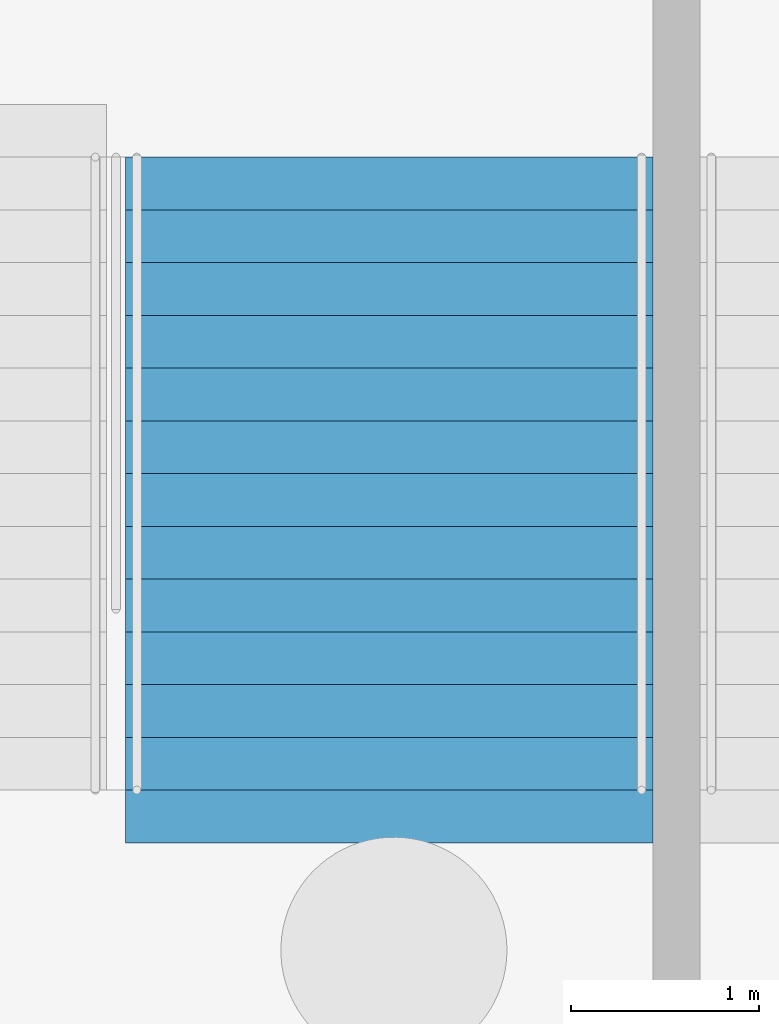
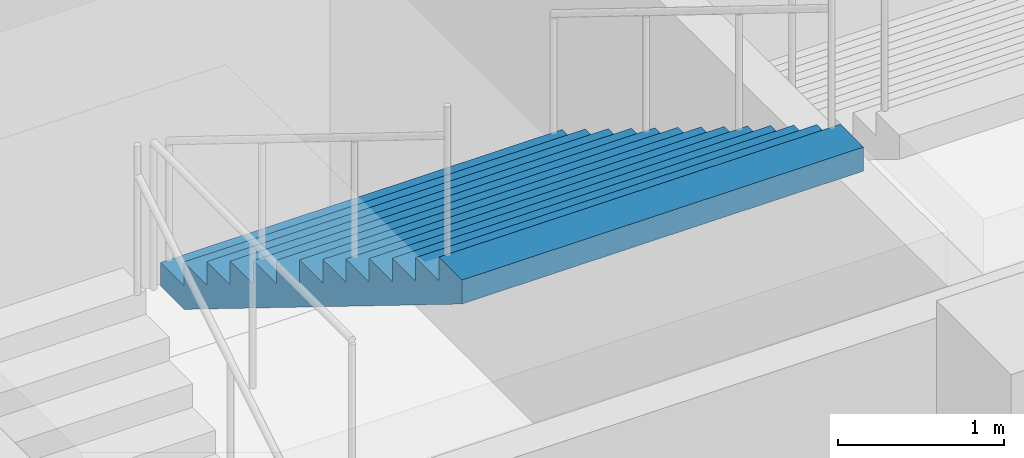
# One storey, part 99 of 115: 1 stair flight, 1 element without a shape of its own.
"""IFC4 building model written with IfcOpenShell, lengths in metres."""

import ifcopenshell
import ifcopenshell.guid

model = None  # the IFC model being written
_history = None  # IfcOwnerHistory: only IFC2X3 demands one
_inside = {}  # id of a spatial element -> (the spatial element, [elements in it])
_under = {}  # id of a project, library or spatial element -> (it, [spatial elements below it])
_declared = {}  # id of a project -> (the project, [libraries it declares])
_typed = {}  # id of a type object -> (the type object, [elements of that type])
_made_of = {}  # id of a material, layer set ... -> (it, [elements and type objects made of it])


def new_model(schema):
    """Start an empty IFC model of exactly this schema.

    Asked for "IFC4X3", IfcOpenShell would pick the latest addendum, in which some entities
    have other attributes; the version numbers below select the first issue.
    IFC2X3 requires an IfcOwnerHistory on every rooted entity: one is made here for all.
    """
    global model, _history
    if schema == "IFC4X3":
        model = ifcopenshell.file(schema_version=(4, 3, 0, 0))
    else:
        model = ifcopenshell.file(schema=schema)
    _inside.clear()
    _under.clear()
    _declared.clear()
    _typed.clear()
    _made_of.clear()
    _history = None
    if model.schema == "IFC2X3":
        org = make("IfcOrganization", Name="unknown")
        user = make(
            "IfcPersonAndOrganization",
            ThePerson=make("IfcPerson", FamilyName="unknown"),
            TheOrganization=org,
        )
        app = make(
            "IfcApplication",
            ApplicationDeveloper=org,
            Version="unknown",
            ApplicationFullName="unknown",
            ApplicationIdentifier="unknown",
        )
        _history = make(
            "IfcOwnerHistory",
            OwningUser=user,
            OwningApplication=app,
            ChangeAction="ADDED",
            CreationDate=0,
        )
    return model


def make(cls, **values):
    """One entity of the class cls with the attributes given. An attribute that is None is left unset."""
    return model.create_entity(
        cls, **{name: value for name, value in values.items() if value is not None}
    )


def rooted(cls, **values):
    """An entity with a GlobalId (a new one), such as an element, a storey or a relation."""
    return make(cls, GlobalId=ifcopenshell.guid.new(), OwnerHistory=_history, **values)


def si_unit(unit_type, name, prefix=None):
    """IfcSIUnit, for example si_unit("LENGTHUNIT", "METRE", prefix="MILLI")."""
    return make("IfcSIUnit", UnitType=unit_type, Prefix=prefix, Name=name)


def assignment(units):
    """IfcUnitAssignment: the units of a project."""
    return None if units is None else make("IfcUnitAssignment", Units=units)


def point(xyz):
    """IfcCartesianPoint."""
    return None if xyz is None else make("IfcCartesianPoint", Coordinates=xyz)


def direction(xyz):
    """IfcDirection."""
    return None if xyz is None else make("IfcDirection", DirectionRatios=xyz)


def frame(location, z_axis=None, x_axis=None):
    """IfcAxis2Placement3D, a coordinate frame: its origin and axes. An axis left out is left unset."""
    return make(
        "IfcAxis2Placement3D",
        Location=point(location),
        Axis=direction(z_axis),
        RefDirection=direction(x_axis),
    )


def origin():
    """The frame at (0, 0, 0) with its axes left unset."""
    return frame((0.0, 0.0, 0.0))


def place(relative_to, where):
    """IfcLocalPlacement: puts the frame where relative to a parent placement (None: the world)."""
    return make(
        "IfcLocalPlacement", PlacementRelTo=relative_to, RelativePlacement=where
    )


def context(
    kind, dimensions, precision=None, world=None, true_north=None, identifier=None
):
    """IfcGeometricRepresentationContext, for example the 3D "Model" context."""
    return make(
        "IfcGeometricRepresentationContext",
        ContextIdentifier=identifier,
        ContextType=kind,
        CoordinateSpaceDimension=dimensions,
        Precision=precision,
        WorldCoordinateSystem=world,
        TrueNorth=true_north,
    )


def subcontext(parent, identifier, kind, view, scale=None):
    """IfcGeometricRepresentationSubContext, for example "Body" below "Model"."""
    return make(
        "IfcGeometricRepresentationSubContext",
        ContextIdentifier=identifier,
        ContextType=kind,
        ParentContext=parent,
        TargetScale=scale,
        TargetView=view,
    )


def project(units=None, contexts=None):
    """IfcProject with its units and contexts."""
    return rooted(
        "IfcProject",
        Name="project",
        RepresentationContexts=contexts,
        UnitsInContext=assignment(units),
    )


def spatial(cls, under=None, at=None, **own):
    """A site, building, storey or space (cls), placed at a placement, below another one or the project."""
    s = rooted(cls, ObjectPlacement=at, **own)
    if under is not None:
        _under.setdefault(under.id(), (under, []))[1].append(s)
    return s


def faces_of(points, faces, orient=None, outer=None):
    """IfcFace entities. A face is a list of loops; a loop is a list of indices into points, from 0.

    orient and outer hold one flag for each loop. By default every Orientation is true, the
    first loop of a face is its IfcFaceOuterBound and the others are IfcFaceBound.
    """
    made = []
    for i, loops in enumerate(faces):
        bounds = []
        for j, loop in enumerate(loops):
            is_outer = j == 0 if outer is None else outer[i][j]
            bounds.append(
                make(
                    "IfcFaceOuterBound" if is_outer else "IfcFaceBound",
                    Bound=make("IfcPolyLoop", Polygon=[points[k] for k in loop]),
                    Orientation=True if orient is None else orient[i][j],
                )
            )
        made.append(make("IfcFace", Bounds=bounds))
    return made


def faceted_brep(points, faces, orient=None, outer=None, voids=None):
    """IfcFacetedBrep: a solid bounded by flat faces; with voids (closed shells), ...WithVoids."""
    shared = [point(p) for p in points]
    hull = make("IfcClosedShell", CfsFaces=faces_of(shared, faces, orient, outer))
    if voids is None:
        return make("IfcFacetedBrep", Outer=hull)
    return make(
        "IfcFacetedBrepWithVoids",
        Outer=hull,
        Voids=[
            make(cls, CfsFaces=faces_of(shared, fs, o, b)) for cls, fs, o, b in voids
        ],
    )


def shape(context_of_items, identifier, shape_type, items):
    """IfcShapeRepresentation: the items that make up one representation, for example the "Body"."""
    return make(
        "IfcShapeRepresentation",
        ContextOfItems=context_of_items,
        RepresentationIdentifier=identifier,
        RepresentationType=shape_type,
        Items=items,
    )


def material(Name=None, Category=None):
    """IfcMaterial."""
    return make("IfcMaterial", Name=Name, Category=Category)


def made_of(thing, what):
    """Note that an element or type object is made of a material, layer set ...; save() writes the relation."""
    if what is not None:
        _made_of.setdefault(what.id(), (what, []))[1].append(thing)
    return thing


def type_object(cls, material=None, **own):
    """A type object (cls), such as IfcWallType, which elements share."""
    return made_of(rooted(cls, **own), material)


def element(
    cls,
    number,
    at=None,
    inside=None,
    cuts=None,
    type_object=None,
    material=None,
    context=None,
    identifier="Body",
    shape_type=None,
    held_by="IfcProductDefinitionShape",
    body=None,
    shapes=None,
    **own,
):
    """One element of the class cls, such as IfcWall. Its Tag is "e" and its number.

    at: its placement. inside: the storey or other place that contains it. cuts: it is an
    opening in that element (IfcRelVoidsElement). A single representation is given by context,
    identifier, shape_type and body (its items); several are given by shapes. held_by: the class
    of the entity that holds the representations. save() writes the other relations.
    """
    e = rooted(cls, Tag="e%d" % number, ObjectPlacement=at, **own)
    if body is not None:
        shapes = [shape(context, identifier, shape_type, body)]
    if shapes is not None:
        e.Representation = make(held_by, Representations=shapes)
    if inside is not None:
        _inside.setdefault(inside.id(), (inside, []))[1].append(e)
    if cuts is not None:
        rooted(
            "IfcRelVoidsElement", RelatingBuildingElement=cuts, RelatedOpeningElement=e
        )
    if type_object is not None:
        _typed.setdefault(type_object.id(), (type_object, []))[1].append(e)
    return made_of(e, material)


def aggregate(whole, parts):
    """IfcRelAggregates: a whole, such as a stair, and the parts it consists of."""
    return rooted("IfcRelAggregates", RelatingObject=whole, RelatedObjects=parts)


def save(model, path):
    """Write the relations noted so far, then the file.

    IfcRelAggregates (storeys below a building ...), IfcRelContainedInSpatialStructure (elements
    in a storey), IfcRelDefinesByType, IfcRelAssociatesMaterial and IfcRelDeclares: one each for
    every whole, place, type object, material and project.
    """
    for whole, parts in _under.values():
        aggregate(whole, parts)
    for where, things in _inside.values():
        rooted(
            "IfcRelContainedInSpatialStructure",
            RelatedElements=things,
            RelatingStructure=where,
        )
    for kind, things in _typed.values():
        rooted("IfcRelDefinesByType", RelatedObjects=things, RelatingType=kind)
    for what, things in _made_of.values():
        rooted("IfcRelAssociatesMaterial", RelatedObjects=things, RelatingMaterial=what)
    for by, libraries in _declared.values():
        rooted("IfcRelDeclares", RelatingContext=by, RelatedDefinitions=libraries)
    model.write(path)


model = new_model("IFC4")

# Units and contexts
model_context = context("Model", 3, precision=1e-05, world=origin(), true_north=direction((0.0, 1.0)))
body_context = subcontext(model_context, "Body", "Model", "MODEL_VIEW")
ifc_project = project(units=[si_unit("LENGTHUNIT", "METRE"), si_unit("AREAUNIT", "SQUARE_METRE"), si_unit("VOLUMEUNIT", "CUBIC_METRE"), si_unit("PLANEANGLEUNIT", "RADIAN"), si_unit("MASSUNIT", "GRAM", prefix="KILO")], contexts=[model_context])

# Site, building, storey
site_placement = place(None, origin())
site = spatial("IfcSite", under=ifc_project, at=site_placement, CompositionType="ELEMENT")
building_placement = place(site_placement, origin())
building = spatial("IfcBuilding", under=site, at=building_placement, Name="Ogive Plaza Stadium", CompositionType="ELEMENT")
storey_placement = place(building_placement, frame((0.0, 0.0, -4.5)))
storey = spatial("IfcBuildingStorey", under=building, at=storey_placement, Name="B1", CompositionType="ELEMENT", Elevation=-4.5)

# Stair, stair flight
ifc_material_1 = material(Name="Concrete C40/50", Category="concrete")
stair_type = type_object("IfcStairType", Name="Exit stair", PredefinedType="STRAIGHT_RUN_STAIR", material=ifc_material_1)
stair_placement = place(storey_placement, origin())
stair = element("IfcStair", 1, at=stair_placement, inside=storey, type_object=stair_type, Name="Exit stair ST32B B1 to L00", PredefinedType="STRAIGHT_RUN_STAIR")
ifc_material_2 = material(Name="Concrete C40/50", Category="concrete")
stair_flight_type = type_object("IfcStairFlightType", Name="Exit stair flight", PredefinedType="STRAIGHT", material=ifc_material_2)
stair_flight_placement = place(storey_placement, frame((-35.52490234375, 98.2099609375, 2.25), z_axis=(0.0, 0.0, 1.0), x_axis=(0.0, -1.0, 0.0)))
stair_flight = element("IfcStairFlight", 2, at=stair_flight_placement, type_object=stair_flight_type, Name="ST32B flight 2", NumberOfRisers=13, NumberOfTreads=12, PredefinedType="STRAIGHT", RiserHeight=0.173076923, TreadLength=0.28, context=body_context, shape_type="Brep", body=[
    faceted_brep([(0.28515625, -1.39990234375, 0.0), (3.639892578125, -1.39990234375, 2.07373046875), (3.639892578125, -1.39990234375, 2.25), (3.360107421875, -1.39990234375, 2.25), (3.360107421875, -1.39990234375, 2.076904296875), (3.080078125, -1.39990234375, 2.076904296875), (3.080078125, -1.39990234375, 1.90380859375), (2.800048828125, -1.39990234375, 1.90380859375), (2.800048828125, -1.39990234375, 1.730712890625), (2.52001953125, -1.39990234375, 1.730712890625), (2.52001953125, -1.39990234375, 1.5576171875), (2.239990234375, -1.39990234375, 1.5576171875), (2.239990234375, -1.39990234375, 1.384521484375), (1.9599609375, -1.39990234375, 1.384521484375), (1.9599609375, -1.39990234375, 1.21142578125), (1.679931640625, -1.39990234375, 1.21142578125), (1.679931640625, -1.39990234375, 1.03857421875), (1.39990234375, -1.39990234375, 1.03857421875), (1.39990234375, -1.39990234375, 0.865478515625), (1.1201171875, -1.39990234375, 0.865478515625), (1.1201171875, -1.39990234375, 0.6923828125), (0.840087890625, -1.39990234375, 0.6923828125), (0.840087890625, -1.39990234375, 0.519287109375), (0.56005859375, -1.39990234375, 0.519287109375), (0.56005859375, -1.39990234375, 0.34619140625), (0.280029296875, -1.39990234375, 0.34619140625), (0.280029296875, -1.39990234375, 0.173095703125), (0.0, -1.39990234375, 0.173095703125), (0.0, -1.39990234375, 0.0), (0.0, 1.39990234375, 0.0), (0.0, 1.39990234375, 0.173095703125), (0.280029296875, 1.39990234375, 0.173095703125), (0.280029296875, 1.39990234375, 0.34619140625), (0.56005859375, 1.39990234375, 0.34619140625), (0.56005859375, 1.39990234375, 0.519287109375), (0.840087890625, 1.39990234375, 0.519287109375), (0.840087890625, 1.39990234375, 0.6923828125), (1.1201171875, 1.39990234375, 0.6923828125), (1.1201171875, 1.39990234375, 0.865478515625), (1.39990234375, 1.39990234375, 0.865478515625), (1.39990234375, 1.39990234375, 1.03857421875), (1.679931640625, 1.39990234375, 1.03857421875), (1.679931640625, 1.39990234375, 1.21142578125), (1.9599609375, 1.39990234375, 1.21142578125), (1.9599609375, 1.39990234375, 1.384521484375), (2.239990234375, 1.39990234375, 1.384521484375), (2.239990234375, 1.39990234375, 1.5576171875), (2.52001953125, 1.39990234375, 1.5576171875), (2.52001953125, 1.39990234375, 1.730712890625), (2.800048828125, 1.39990234375, 1.730712890625), (2.800048828125, 1.39990234375, 1.90380859375), (3.080078125, 1.39990234375, 1.90380859375), (3.080078125, 1.39990234375, 2.076904296875), (3.360107421875, 1.39990234375, 2.076904296875), (3.360107421875, 1.39990234375, 2.25), (3.639892578125, 1.39990234375, 2.25), (3.639892578125, 1.39990234375, 2.07373046875), (0.28515625, 1.39990234375, 0.0), (0.28515625, -1.0888671875, 0.0), (3.639892578125, -1.0888671875, 2.07373046875), (0.28515625, -0.77783203125, 0.0), (3.639892578125, -0.77783203125, 2.07373046875), (0.28515625, -0.466796875, 0.0), (3.639892578125, -0.466796875, 2.07373046875), (0.28515625, -0.155517578125, 0.0), (3.639892578125, -0.155517578125, 2.07373046875), (0.28515625, 0.155517578125, 0.0), (3.639892578125, 0.155517578125, 2.07373046875), (0.28515625, 0.466796875, 0.0), (3.639892578125, 0.466796875, 2.07373046875), (0.28515625, 0.77783203125, 0.0), (3.639892578125, 0.77783203125, 2.07373046875), (0.28515625, 1.0888671875, 0.0), (3.639892578125, 1.0888671875, 2.07373046875), (3.639892578125, -1.0888671875, 2.25), (3.639892578125, -0.77783203125, 2.25), (3.639892578125, -0.466796875, 2.25), (3.639892578125, -0.155517578125, 2.25), (3.639892578125, 0.155517578125, 2.25), (3.639892578125, 0.466796875, 2.25), (3.639892578125, 0.77783203125, 2.25), (3.639892578125, 1.0888671875, 2.25), (3.360107421875, -1.0888671875, 2.25), (3.360107421875, -0.77783203125, 2.25), (3.360107421875, -0.466796875, 2.25), (3.360107421875, -0.155517578125, 2.25), (3.360107421875, 0.155517578125, 2.25), (3.360107421875, 0.466796875, 2.25), (3.360107421875, 0.77783203125, 2.25), (3.360107421875, 1.0888671875, 2.25), (3.360107421875, -1.0888671875, 2.076904296875), (3.360107421875, -0.77783203125, 2.076904296875), (3.360107421875, -0.466796875, 2.076904296875), (3.360107421875, -0.155517578125, 2.076904296875), (3.360107421875, 0.155517578125, 2.076904296875), (3.360107421875, 0.466796875, 2.076904296875), (3.360107421875, 0.77783203125, 2.076904296875), (3.360107421875, 1.0888671875, 2.076904296875), (3.080078125, -1.0888671875, 2.076904296875), (3.080078125, -0.77783203125, 2.076904296875), (3.080078125, -0.466796875, 2.076904296875), (3.080078125, -0.155517578125, 2.076904296875), (3.080078125, 0.155517578125, 2.076904296875), (3.080078125, 0.466796875, 2.076904296875), (3.080078125, 0.77783203125, 2.076904296875), (3.080078125, 1.0888671875, 2.076904296875), (3.080078125, -1.0888671875, 1.90380859375), (3.080078125, -0.77783203125, 1.90380859375), (3.080078125, -0.466796875, 1.90380859375), (3.080078125, -0.155517578125, 1.90380859375), (3.080078125, 0.155517578125, 1.90380859375), (3.080078125, 0.466796875, 1.90380859375), (3.080078125, 0.77783203125, 1.90380859375), (3.080078125, 1.0888671875, 1.90380859375), (2.800048828125, -1.0888671875, 1.90380859375), (2.800048828125, -0.77783203125, 1.90380859375), (2.800048828125, -0.466796875, 1.90380859375), (2.800048828125, -0.155517578125, 1.90380859375), (2.800048828125, 0.155517578125, 1.90380859375), (2.800048828125, 0.466796875, 1.90380859375), (2.800048828125, 0.77783203125, 1.90380859375), (2.800048828125, 1.0888671875, 1.90380859375), (2.800048828125, -1.0888671875, 1.730712890625), (2.800048828125, -0.77783203125, 1.730712890625), (2.800048828125, -0.466796875, 1.730712890625), (2.800048828125, -0.155517578125, 1.730712890625), (2.800048828125, 0.155517578125, 1.730712890625), (2.800048828125, 0.466796875, 1.730712890625), (2.800048828125, 0.77783203125, 1.730712890625), (2.800048828125, 1.0888671875, 1.730712890625), (2.52001953125, -1.0888671875, 1.730712890625), (2.52001953125, -0.77783203125, 1.730712890625), (2.52001953125, -0.466796875, 1.730712890625), (2.52001953125, -0.155517578125, 1.730712890625), (2.52001953125, 0.155517578125, 1.730712890625), (2.52001953125, 0.466796875, 1.730712890625), (2.52001953125, 0.77783203125, 1.730712890625), (2.52001953125, 1.0888671875, 1.730712890625), (2.52001953125, -1.0888671875, 1.5576171875), (2.52001953125, -0.77783203125, 1.5576171875), (2.52001953125, -0.466796875, 1.5576171875), (2.52001953125, -0.155517578125, 1.5576171875), (2.52001953125, 0.155517578125, 1.5576171875), (2.52001953125, 0.466796875, 1.5576171875), (2.52001953125, 0.77783203125, 1.5576171875), (2.52001953125, 1.0888671875, 1.5576171875), (2.239990234375, -1.0888671875, 1.5576171875), (2.239990234375, -0.77783203125, 1.5576171875), (2.239990234375, -0.466796875, 1.5576171875), (2.239990234375, -0.155517578125, 1.5576171875), (2.239990234375, 0.155517578125, 1.5576171875), (2.239990234375, 0.466796875, 1.5576171875), (2.239990234375, 0.77783203125, 1.5576171875), (2.239990234375, 1.0888671875, 1.5576171875), (2.239990234375, -1.0888671875, 1.384521484375), (2.239990234375, -0.77783203125, 1.384521484375), (2.239990234375, -0.466796875, 1.384521484375), (2.239990234375, -0.155517578125, 1.384521484375), (2.239990234375, 0.155517578125, 1.384521484375), (2.239990234375, 0.466796875, 1.384521484375), (2.239990234375, 0.77783203125, 1.384521484375), (2.239990234375, 1.0888671875, 1.384521484375), (1.9599609375, -1.0888671875, 1.384521484375), (1.9599609375, -0.77783203125, 1.384521484375), (1.9599609375, -0.466796875, 1.384521484375), (1.9599609375, -0.155517578125, 1.384521484375), (1.9599609375, 0.155517578125, 1.384521484375), (1.9599609375, 0.466796875, 1.384521484375), (1.9599609375, 0.77783203125, 1.384521484375), (1.9599609375, 1.0888671875, 1.384521484375), (1.9599609375, -1.0888671875, 1.21142578125), (1.9599609375, -0.77783203125, 1.21142578125), (1.9599609375, -0.466796875, 1.21142578125), (1.9599609375, -0.155517578125, 1.21142578125), (1.9599609375, 0.155517578125, 1.21142578125), (1.9599609375, 0.466796875, 1.21142578125), (1.9599609375, 0.77783203125, 1.21142578125), (1.9599609375, 1.0888671875, 1.21142578125), (1.679931640625, -1.0888671875, 1.21142578125), (1.679931640625, -0.77783203125, 1.21142578125), (1.679931640625, -0.466796875, 1.21142578125), (1.679931640625, -0.155517578125, 1.21142578125), (1.679931640625, 0.155517578125, 1.21142578125), (1.679931640625, 0.466796875, 1.21142578125), (1.679931640625, 0.77783203125, 1.21142578125), (1.679931640625, 1.0888671875, 1.21142578125), (1.679931640625, -1.0888671875, 1.03857421875), (1.679931640625, -0.77783203125, 1.03857421875), (1.679931640625, -0.466796875, 1.03857421875), (1.679931640625, -0.155517578125, 1.03857421875), (1.679931640625, 0.155517578125, 1.03857421875), (1.679931640625, 0.466796875, 1.03857421875), (1.679931640625, 0.77783203125, 1.03857421875), (1.679931640625, 1.0888671875, 1.03857421875), (1.39990234375, -1.0888671875, 1.03857421875), (1.39990234375, -0.77783203125, 1.03857421875), (1.39990234375, -0.466796875, 1.03857421875), (1.39990234375, -0.155517578125, 1.03857421875), (1.39990234375, 0.155517578125, 1.03857421875), (1.39990234375, 0.466796875, 1.03857421875), (1.39990234375, 0.77783203125, 1.03857421875), (1.39990234375, 1.0888671875, 1.03857421875), (1.39990234375, -1.0888671875, 0.865478515625), (1.39990234375, -0.77783203125, 0.865478515625), (1.39990234375, -0.466796875, 0.865478515625), (1.39990234375, -0.155517578125, 0.865478515625), (1.39990234375, 0.155517578125, 0.865478515625), (1.39990234375, 0.466796875, 0.865478515625), (1.39990234375, 0.77783203125, 0.865478515625), (1.39990234375, 1.0888671875, 0.865478515625), (1.1201171875, -1.0888671875, 0.865478515625), (1.1201171875, -0.77783203125, 0.865478515625), (1.1201171875, -0.466796875, 0.865478515625), (1.1201171875, -0.155517578125, 0.865478515625), (1.1201171875, 0.155517578125, 0.865478515625), (1.1201171875, 0.466796875, 0.865478515625), (1.1201171875, 0.77783203125, 0.865478515625), (1.1201171875, 1.0888671875, 0.865478515625), (1.1201171875, -1.0888671875, 0.6923828125), (1.1201171875, -0.77783203125, 0.6923828125), (1.1201171875, -0.466796875, 0.6923828125), (1.1201171875, -0.155517578125, 0.6923828125), (1.1201171875, 0.155517578125, 0.6923828125), (1.1201171875, 0.466796875, 0.6923828125), (1.1201171875, 0.77783203125, 0.6923828125), (1.1201171875, 1.0888671875, 0.6923828125), (0.840087890625, -1.0888671875, 0.6923828125), (0.840087890625, -0.77783203125, 0.6923828125), (0.840087890625, -0.466796875, 0.6923828125), (0.840087890625, -0.155517578125, 0.6923828125), (0.840087890625, 0.155517578125, 0.6923828125), (0.840087890625, 0.466796875, 0.6923828125), (0.840087890625, 0.77783203125, 0.6923828125), (0.840087890625, 1.0888671875, 0.6923828125), (0.840087890625, -1.0888671875, 0.519287109375), (0.840087890625, -0.77783203125, 0.519287109375), (0.840087890625, -0.466796875, 0.519287109375), (0.840087890625, -0.155517578125, 0.519287109375), (0.840087890625, 0.155517578125, 0.519287109375), (0.840087890625, 0.466796875, 0.519287109375), (0.840087890625, 0.77783203125, 0.519287109375), (0.840087890625, 1.0888671875, 0.519287109375), (0.56005859375, -1.0888671875, 0.519287109375), (0.56005859375, -0.77783203125, 0.519287109375), (0.56005859375, -0.466796875, 0.519287109375), (0.56005859375, -0.155517578125, 0.519287109375), (0.56005859375, 0.155517578125, 0.519287109375), (0.56005859375, 0.466796875, 0.519287109375), (0.56005859375, 0.77783203125, 0.519287109375), (0.56005859375, 1.0888671875, 0.519287109375), (0.56005859375, -1.0888671875, 0.34619140625), (0.56005859375, -0.77783203125, 0.34619140625), (0.56005859375, -0.466796875, 0.34619140625), (0.56005859375, -0.155517578125, 0.34619140625), (0.56005859375, 0.155517578125, 0.34619140625), (0.56005859375, 0.466796875, 0.34619140625), (0.56005859375, 0.77783203125, 0.34619140625), (0.56005859375, 1.0888671875, 0.34619140625), (0.280029296875, -1.0888671875, 0.34619140625), (0.280029296875, -0.77783203125, 0.34619140625), (0.280029296875, -0.466796875, 0.34619140625), (0.280029296875, -0.155517578125, 0.34619140625), (0.280029296875, 0.155517578125, 0.34619140625), (0.280029296875, 0.466796875, 0.34619140625), (0.280029296875, 0.77783203125, 0.34619140625), (0.280029296875, 1.0888671875, 0.34619140625), (0.280029296875, -1.0888671875, 0.173095703125), (0.280029296875, -0.77783203125, 0.173095703125), (0.280029296875, -0.466796875, 0.173095703125), (0.280029296875, -0.155517578125, 0.173095703125), (0.280029296875, 0.155517578125, 0.173095703125), (0.280029296875, 0.466796875, 0.173095703125), (0.280029296875, 0.77783203125, 0.173095703125), (0.280029296875, 1.0888671875, 0.173095703125), (0.0, -1.0888671875, 0.173095703125), (0.0, -0.77783203125, 0.173095703125), (0.0, -0.466796875, 0.173095703125), (0.0, -0.155517578125, 0.173095703125), (0.0, 0.155517578125, 0.173095703125), (0.0, 0.466796875, 0.173095703125), (0.0, 0.77783203125, 0.173095703125), (0.0, 1.0888671875, 0.173095703125), (0.0, -1.0888671875, 0.0), (0.0, -0.77783203125, 0.0), (0.0, -0.466796875, 0.0), (0.0, -0.155517578125, 0.0), (0.0, 0.155517578125, 0.0), (0.0, 0.466796875, 0.0), (0.0, 0.77783203125, 0.0), (0.0, 1.0888671875, 0.0)], [[[0, 1, 2, 3, 4, 5, 6, 7, 8, 9, 10, 11, 12, 13, 14, 15, 16, 17, 18, 19, 20, 21, 22, 23, 24, 25, 26, 27, 28]], [[29, 30, 31, 32, 33, 34, 35, 36, 37, 38, 39, 40, 41, 42, 43, 44, 45, 46, 47, 48, 49, 50, 51, 52, 53, 54, 55, 56, 57]], [[0, 58, 59, 1]], [[58, 60, 61, 59]], [[60, 62, 63, 61]], [[62, 64, 65, 63]], [[64, 66, 67, 65]], [[66, 68, 69, 67]], [[68, 70, 71, 69]], [[70, 72, 73, 71]], [[72, 57, 56, 73]], [[1, 59, 74, 2]], [[59, 61, 75, 74]], [[61, 63, 76, 75]], [[63, 65, 77, 76]], [[65, 67, 78, 77]], [[67, 69, 79, 78]], [[69, 71, 80, 79]], [[71, 73, 81, 80]], [[73, 56, 55, 81]], [[2, 74, 82, 3]], [[74, 75, 83, 82]], [[75, 76, 84, 83]], [[76, 77, 85, 84]], [[77, 78, 86, 85]], [[78, 79, 87, 86]], [[79, 80, 88, 87]], [[80, 81, 89, 88]], [[81, 55, 54, 89]], [[3, 82, 90, 4]], [[82, 83, 91, 90]], [[83, 84, 92, 91]], [[84, 85, 93, 92]], [[85, 86, 94, 93]], [[86, 87, 95, 94]], [[87, 88, 96, 95]], [[88, 89, 97, 96]], [[89, 54, 53, 97]], [[4, 90, 98, 5]], [[90, 91, 99, 98]], [[91, 92, 100, 99]], [[92, 93, 101, 100]], [[93, 94, 102, 101]], [[94, 95, 103, 102]], [[95, 96, 104, 103]], [[96, 97, 105, 104]], [[97, 53, 52, 105]], [[5, 98, 106, 6]], [[98, 99, 107, 106]], [[99, 100, 108, 107]], [[100, 101, 109, 108]], [[101, 102, 110, 109]], [[102, 103, 111, 110]], [[103, 104, 112, 111]], [[104, 105, 113, 112]], [[105, 52, 51, 113]], [[6, 106, 114, 7]], [[106, 107, 115, 114]], [[107, 108, 116, 115]], [[108, 109, 117, 116]], [[109, 110, 118, 117]], [[110, 111, 119, 118]], [[111, 112, 120, 119]], [[112, 113, 121, 120]], [[113, 51, 50, 121]], [[7, 114, 122, 8]], [[114, 115, 123, 122]], [[115, 116, 124, 123]], [[116, 117, 125, 124]], [[117, 118, 126, 125]], [[118, 119, 127, 126]], [[119, 120, 128, 127]], [[120, 121, 129, 128]], [[121, 50, 49, 129]], [[8, 122, 130, 9]], [[122, 123, 131, 130]], [[123, 124, 132, 131]], [[124, 125, 133, 132]], [[125, 126, 134, 133]], [[126, 127, 135, 134]], [[127, 128, 136, 135]], [[128, 129, 137, 136]], [[129, 49, 48, 137]], [[9, 130, 138, 10]], [[130, 131, 139, 138]], [[131, 132, 140, 139]], [[132, 133, 141, 140]], [[133, 134, 142, 141]], [[134, 135, 143, 142]], [[135, 136, 144, 143]], [[136, 137, 145, 144]], [[137, 48, 47, 145]], [[10, 138, 146, 11]], [[138, 139, 147, 146]], [[139, 140, 148, 147]], [[140, 141, 149, 148]], [[141, 142, 150, 149]], [[142, 143, 151, 150]], [[143, 144, 152, 151]], [[144, 145, 153, 152]], [[145, 47, 46, 153]], [[11, 146, 154, 12]], [[146, 147, 155, 154]], [[147, 148, 156, 155]], [[148, 149, 157, 156]], [[149, 150, 158, 157]], [[150, 151, 159, 158]], [[151, 152, 160, 159]], [[152, 153, 161, 160]], [[153, 46, 45, 161]], [[12, 154, 162, 13]], [[154, 155, 163, 162]], [[155, 156, 164, 163]], [[156, 157, 165, 164]], [[157, 158, 166, 165]], [[158, 159, 167, 166]], [[159, 160, 168, 167]], [[160, 161, 169, 168]], [[161, 45, 44, 169]], [[13, 162, 170, 14]], [[162, 163, 171, 170]], [[163, 164, 172, 171]], [[164, 165, 173, 172]], [[165, 166, 174, 173]], [[166, 167, 175, 174]], [[167, 168, 176, 175]], [[168, 169, 177, 176]], [[169, 44, 43, 177]], [[14, 170, 178, 15]], [[170, 171, 179, 178]], [[171, 172, 180, 179]], [[172, 173, 181, 180]], [[173, 174, 182, 181]], [[174, 175, 183, 182]], [[175, 176, 184, 183]], [[176, 177, 185, 184]], [[177, 43, 42, 185]], [[15, 178, 186, 16]], [[178, 179, 187, 186]], [[179, 180, 188, 187]], [[180, 181, 189, 188]], [[181, 182, 190, 189]], [[182, 183, 191, 190]], [[183, 184, 192, 191]], [[184, 185, 193, 192]], [[185, 42, 41, 193]], [[16, 186, 194, 17]], [[186, 187, 195, 194]], [[187, 188, 196, 195]], [[188, 189, 197, 196]], [[189, 190, 198, 197]], [[190, 191, 199, 198]], [[191, 192, 200, 199]], [[192, 193, 201, 200]], [[193, 41, 40, 201]], [[17, 194, 202, 18]], [[194, 195, 203, 202]], [[195, 196, 204, 203]], [[196, 197, 205, 204]], [[197, 198, 206, 205]], [[198, 199, 207, 206]], [[199, 200, 208, 207]], [[200, 201, 209, 208]], [[201, 40, 39, 209]], [[18, 202, 210, 19]], [[202, 203, 211, 210]], [[203, 204, 212, 211]], [[204, 205, 213, 212]], [[205, 206, 214, 213]], [[206, 207, 215, 214]], [[207, 208, 216, 215]], [[208, 209, 217, 216]], [[209, 39, 38, 217]], [[19, 210, 218, 20]], [[210, 211, 219, 218]], [[211, 212, 220, 219]], [[212, 213, 221, 220]], [[213, 214, 222, 221]], [[214, 215, 223, 222]], [[215, 216, 224, 223]], [[216, 217, 225, 224]], [[217, 38, 37, 225]], [[20, 218, 226, 21]], [[218, 219, 227, 226]], [[219, 220, 228, 227]], [[220, 221, 229, 228]], [[221, 222, 230, 229]], [[222, 223, 231, 230]], [[223, 224, 232, 231]], [[224, 225, 233, 232]], [[225, 37, 36, 233]], [[21, 226, 234, 22]], [[226, 227, 235, 234]], [[227, 228, 236, 235]], [[228, 229, 237, 236]], [[229, 230, 238, 237]], [[230, 231, 239, 238]], [[231, 232, 240, 239]], [[232, 233, 241, 240]], [[233, 36, 35, 241]], [[22, 234, 242, 23]], [[234, 235, 243, 242]], [[235, 236, 244, 243]], [[236, 237, 245, 244]], [[237, 238, 246, 245]], [[238, 239, 247, 246]], [[239, 240, 248, 247]], [[240, 241, 249, 248]], [[241, 35, 34, 249]], [[23, 242, 250, 24]], [[242, 243, 251, 250]], [[243, 244, 252, 251]], [[244, 245, 253, 252]], [[245, 246, 254, 253]], [[246, 247, 255, 254]], [[247, 248, 256, 255]], [[248, 249, 257, 256]], [[249, 34, 33, 257]], [[24, 250, 258, 25]], [[250, 251, 259, 258]], [[251, 252, 260, 259]], [[252, 253, 261, 260]], [[253, 254, 262, 261]], [[254, 255, 263, 262]], [[255, 256, 264, 263]], [[256, 257, 265, 264]], [[257, 33, 32, 265]], [[25, 258, 266, 26]], [[258, 259, 267, 266]], [[259, 260, 268, 267]], [[260, 261, 269, 268]], [[261, 262, 270, 269]], [[262, 263, 271, 270]], [[263, 264, 272, 271]], [[264, 265, 273, 272]], [[265, 32, 31, 273]], [[26, 266, 274, 27]], [[266, 267, 275, 274]], [[267, 268, 276, 275]], [[268, 269, 277, 276]], [[269, 270, 278, 277]], [[270, 271, 279, 278]], [[271, 272, 280, 279]], [[272, 273, 281, 280]], [[273, 31, 30, 281]], [[27, 274, 282, 28]], [[274, 275, 283, 282]], [[275, 276, 284, 283]], [[276, 277, 285, 284]], [[277, 278, 286, 285]], [[278, 279, 287, 286]], [[279, 280, 288, 287]], [[280, 281, 289, 288]], [[281, 30, 29, 289]], [[28, 282, 58, 0]], [[282, 283, 60, 58]], [[283, 284, 62, 60]], [[284, 285, 64, 62]], [[285, 286, 66, 64]], [[286, 287, 68, 66]], [[287, 288, 70, 68]], [[288, 289, 72, 70]], [[289, 29, 57, 72]]]),
])
aggregate(stair, [stair_flight])

save(model, "model.ifc")
